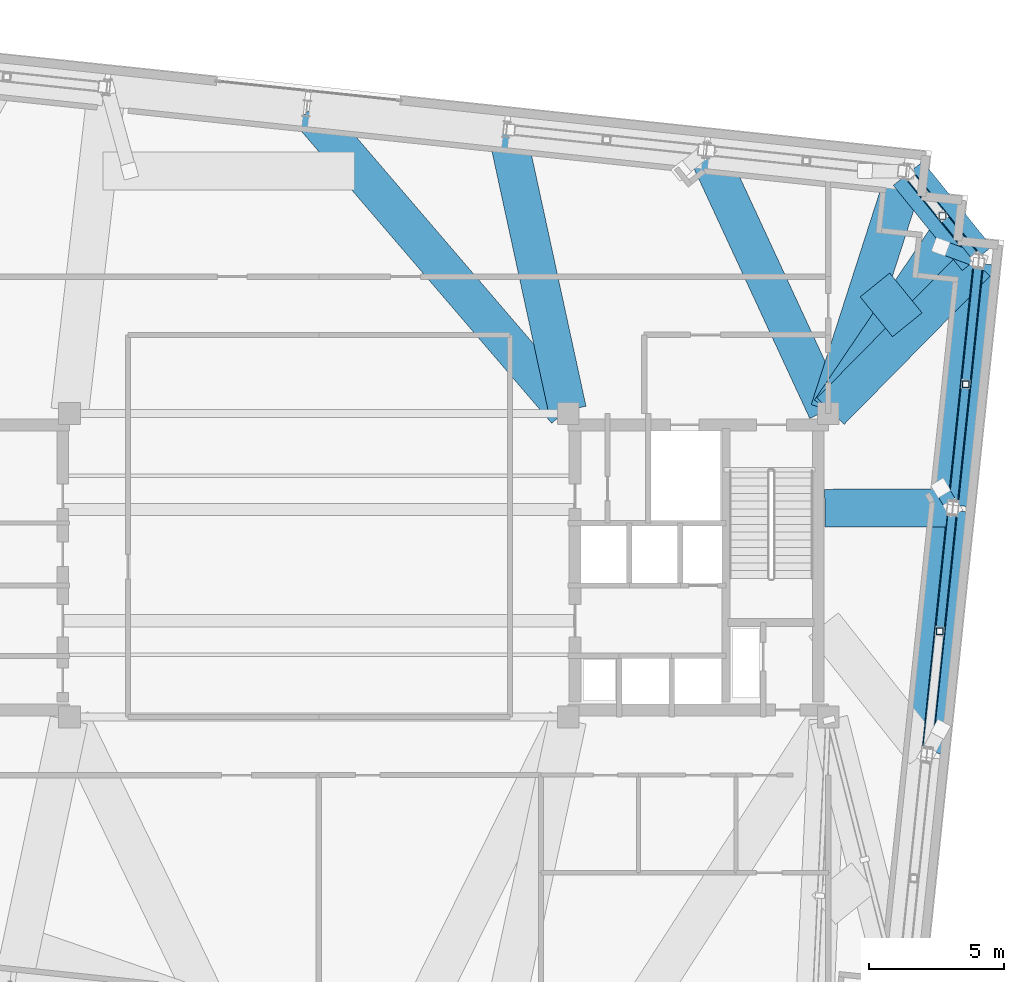
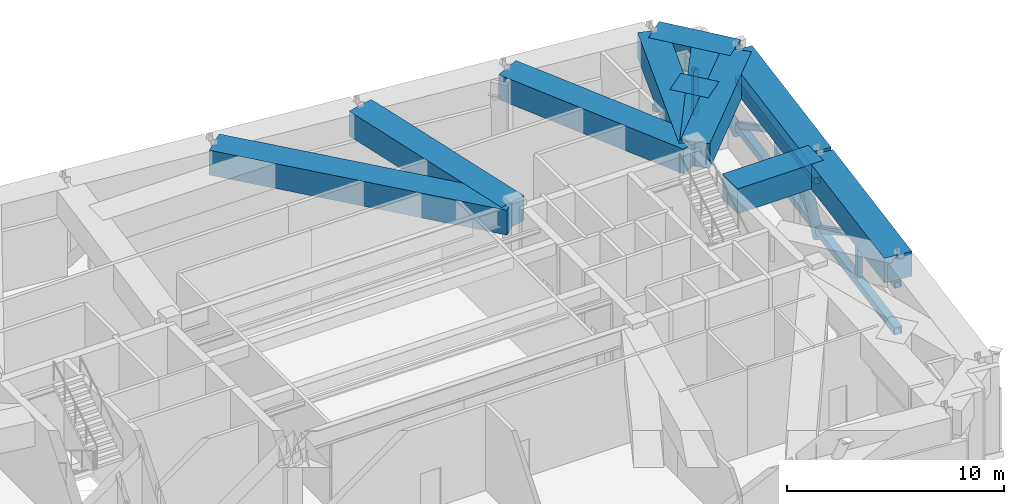
# One storey, part 10 of 21: 15 members, 11 beams.
"""IFC4 building model written with IfcOpenShell, lengths in metres."""

from ifc_helpers import new_model, si_unit, direction, frame, origin, origin_2d, place, context, subcontext, project, spatial, rectangle, hollow_rectangle, hollow_circle, extrude, material, material_profile, profile_set, type_object, element, save


model = new_model("IFC4")

# Units and contexts
model_context = context("Model", 3, precision=1e-05, world=origin(), true_north=direction((0.0, 1.0)))
body_context = subcontext(model_context, "Body", "Model", "MODEL_VIEW")
ifc_project = project(units=[si_unit("LENGTHUNIT", "METRE"), si_unit("AREAUNIT", "SQUARE_METRE"), si_unit("VOLUMEUNIT", "CUBIC_METRE"), si_unit("PLANEANGLEUNIT", "RADIAN"), si_unit("MASSUNIT", "GRAM", prefix="KILO")], contexts=[model_context])

# Site, building, storey
site_placement = place(None, origin())
site = spatial("IfcSite", under=ifc_project, at=site_placement, CompositionType="ELEMENT")
building_placement = place(site_placement, origin())
building = spatial("IfcBuilding", under=site, at=building_placement, Name="Qobustan Lattice House", CompositionType="ELEMENT")
storey_placement = place(building_placement, frame((0.0, 0.0, 223.199951171875)))
storey = spatial("IfcBuildingStorey", under=building, at=storey_placement, Name="L63", CompositionType="ELEMENT", Elevation=223.199951171875)

# Beams
ifc_material_1 = material(Name="Concrete C60/75", Category="concrete")
ifc_material_profile_1 = material_profile(ifc_material_1, rectangle(XDim=1.39990234375, YDim=1.39990234375, at=origin_2d()), Name="RC1400x1400")
ifc_profile_set_1 = profile_set([ifc_material_profile_1], Name="Concrete C60/75")
beam_type = type_object("IfcBeamType", Name="BM-TRG-RC1400", PredefinedType="USERDEFINED", material=ifc_profile_set_1)
beam_1_placement = place(storey_placement, frame((22.443115234375, -6.898193359375, 4.1201171875), z_axis=(0.10452745884, 0.994522000937, 0.0), x_axis=(-0.994522000937, 0.10452745884, 0.0)))
element("IfcBeam", 1, at=beam_1_placement, inside=storey, type_object=beam_type, Name="L63 TT4 lower perimeter transfer girder E2-E3", ObjectType="GIRDER", PredefinedType="USERDEFINED", context=body_context, shape_type="SweptSolid", body=[
    extrude(rectangle(XDim=1.39990234375, YDim=1.39990234375, at=origin_2d()), origin(), (0.0, 0.0, 1.0), 8.966552734375),
])
beam_2_placement = place(storey_placement, frame((23.4013671875, 2.218505859375, 4.1201171875), z_axis=(0.104503358256, 0.994524533691, 0.0), x_axis=(-0.994524533691, 0.104503358256, 0.0)))
element("IfcBeam", 2, at=beam_2_placement, inside=storey, type_object=beam_type, Name="L63 TT4 lower perimeter transfer girder E3-E4", ObjectType="GIRDER", PredefinedType="USERDEFINED", context=body_context, shape_type="SweptSolid", body=[
    extrude(rectangle(XDim=1.39990234375, YDim=1.39990234375, at=origin_2d()), origin(), (0.0, 0.0, 1.0), 8.96630859375),
])
beam_3_placement = place(storey_placement, frame((24.285888671875, 11.31298828125, 4.1201171875), z_axis=(-0.629279877871, 0.777178766634, 0.0), x_axis=(-0.777178766634, -0.629279877871, 0.0)))
element("IfcBeam", 3, at=beam_3_placement, inside=storey, type_object=beam_type, Name="L63 TT4 lower perimeter transfer girder E4-N1", ObjectType="GIRDER", PredefinedType="USERDEFINED", context=body_context, shape_type="SweptSolid", body=[
    extrude(rectangle(XDim=1.39990234375, YDim=1.39990234375, at=origin_2d()), origin(), (0.0, 0.0, 1.0), 4.042724609375),
])
beam_4_placement = place(storey_placement, frame((18.669921875, 2.1005859375, 4.1201171875), z_axis=(0.999992497283, 0.00387367749, 0.0), x_axis=(-0.00387367749, 0.999992497283, 0.0)))
element("IfcBeam", 4, at=beam_4_placement, inside=storey, type_object=beam_type, Name="L63 TT4 radial transfer girder E3", ObjectType="GIRDER", PredefinedType="USERDEFINED", context=body_context, shape_type="SweptSolid", body=[
    extrude(rectangle(XDim=1.39990234375, YDim=1.39990234375, at=origin_2d()), origin(), (0.0, 0.0, 1.0), 4.600830078125),
])
beam_5_placement = place(storey_placement, frame((18.88427734375, 5.685546875, 4.1201171875), z_axis=(0.701609724192, 0.712561432383, 0.0), x_axis=(-0.712561432383, 0.701609724192, 0.0)))
element("IfcBeam", 5, at=beam_5_placement, inside=storey, type_object=beam_type, Name="L63 TT4 radial transfer girder E4", ObjectType="GIRDER", PredefinedType="USERDEFINED", context=body_context, shape_type="SweptSolid", body=[
    extrude(rectangle(XDim=1.39990234375, YDim=1.39990234375, at=origin_2d()), origin(), (0.0, 0.0, 1.0), 7.668701171875),
])
beam_6_placement = place(storey_placement, frame((18.8369140625, 5.714111328125, 4.1201171875), z_axis=(0.306745362954, 0.95179161706, 0.0), x_axis=(-0.95179161706, 0.306745362954, 0.0)))
element("IfcBeam", 6, at=beam_6_placement, inside=storey, type_object=beam_type, Name="L63 TT4 radial transfer girder N1", ObjectType="GIRDER", PredefinedType="USERDEFINED", context=body_context, shape_type="SweptSolid", body=[
    extrude(rectangle(XDim=1.39990234375, YDim=1.39990234375, at=origin_2d()), origin(), (0.0, 0.0, 1.0), 9.14501953125),
])
beam_7_placement = place(storey_placement, frame((18.74951171875, 5.708984375, 4.1201171875), z_axis=(-0.420347115405, 0.907363379562, 0.0), x_axis=(-0.907363379562, -0.420347115405, 0.0)))
element("IfcBeam", 7, at=beam_7_placement, inside=storey, type_object=beam_type, Name="L63 TT4 radial transfer girder N2", ObjectType="GIRDER", PredefinedType="USERDEFINED", context=body_context, shape_type="SweptSolid", body=[
    extrude(rectangle(XDim=1.39990234375, YDim=1.39990234375, at=origin_2d()), origin(), (0.0, 0.0, 1.0), 10.45849609375),
])
beam_8_placement = place(storey_placement, frame((9.174560546875, 5.71728515625, 4.1201171875), z_axis=(-0.211903815595, 0.977290526372, 0.0), x_axis=(-0.977290526372, -0.211903815595, 0.0)))
element("IfcBeam", 8, at=beam_8_placement, inside=storey, type_object=beam_type, Name="L63 TT4 radial transfer girder N3", ObjectType="GIRDER", PredefinedType="USERDEFINED", context=body_context, shape_type="SweptSolid", body=[
    extrude(rectangle(XDim=1.39990234375, YDim=1.39990234375, at=origin_2d()), origin(), (0.0, 0.0, 1.0), 10.486572265625),
])
beam_9_placement = place(storey_placement, frame((9.121826171875, 5.691162109375, 4.1201171875), z_axis=(-0.650762428812, 0.759281411103, 0.0), x_axis=(-0.759281411103, -0.650762428812, 0.0)))
element("IfcBeam", 9, at=beam_9_placement, inside=storey, type_object=beam_type, Name="L63 TT4 radial transfer girder N4", ObjectType="GIRDER", PredefinedType="USERDEFINED", context=body_context, shape_type="SweptSolid", body=[
    extrude(rectangle(XDim=1.39990234375, YDim=1.39990234375, at=origin_2d()), origin(), (0.0, 0.0, 1.0), 14.58740234375),
])
beam_10_placement = place(storey_placement, frame((20.52197265625, 10.341796875, 4.1201171875), z_axis=(0.629276125455, -0.777181804942, 0.0), x_axis=(0.777181804942, 0.629276125455, 0.0)))
element("IfcBeam", 10, at=beam_10_placement, inside=storey, type_object=beam_type, Name="L63 TT4 quadrant transfer tie girder 1", ObjectType="GIRDER", PredefinedType="USERDEFINED", context=body_context, shape_type="SweptSolid", body=[
    extrude(rectangle(XDim=1.39990234375, YDim=1.39990234375, at=origin_2d()), origin(), (0.0, 0.0, 1.0), 1.893310546875),
])
beam_11_placement = place(storey_placement, frame((18.8671875, 5.699462890625, 4.1201171875), z_axis=(0.559333384558, 0.828942799546, 0.0), x_axis=(-0.828942799546, 0.559333384558, 0.0)))
element("IfcBeam", 11, at=beam_11_placement, inside=storey, type_object=beam_type, Name="L63 TT4 primary column transfer girder E4", ObjectType="GIRDER", PredefinedType="USERDEFINED", context=body_context, shape_type="SweptSolid", body=[
    extrude(rectangle(XDim=1.39990234375, YDim=1.39990234375, at=origin_2d()), origin(), (0.0, 0.0, 1.0), 7.877197265625),
])

# Members
ifc_material_2 = material(Name="Steel S355", Category="steel")
ifc_material_profile_2 = material_profile(ifc_material_2, hollow_rectangle(XDim=0.300048828125, YDim=0.300048828125, WallThickness=0.01611328125, at=origin_2d()), Name="SHS300x300x16")
ifc_profile_set_2 = profile_set([ifc_material_profile_2], Name="Steel S355")
member_type_1 = type_object("IfcMemberType", Name="MEM-BRC-SHS300", PredefinedType="BRACE", material=ifc_profile_set_2)
member_1_placement = place(storey_placement, frame((22.91162109375, -2.439453125, 3.14013671875), z_axis=(0.090532359251, 0.861141915102, -0.500238437131), x_axis=(-0.99451917012, 0.104554389018, 0.0)))
element("IfcMember", 12, at=member_1_placement, inside=storey, type_object=member_type_1, Name="L63 TT4 belt truss web diagonal E2-E3 B", PredefinedType="BRACE", context=body_context, shape_type="SweptSolid", body=[
    extrude(hollow_rectangle(XDim=0.300048828125, YDim=0.300048828125, WallThickness=0.01611328125, at=origin_2d()), origin(), (0.0, 0.0, 1.0), 5.177734375),
])
member_2_placement = place(storey_placement, frame((23.4013671875, 2.218505859375, 0.550048828125), z_axis=(0.09048926745, 0.861133403942, 0.50026088503), x_axis=(-0.994524236317, 0.104506188232, 0.0)))
element("IfcMember", 13, at=member_2_placement, inside=storey, type_object=member_type_1, Name="L63 TT4 belt truss web diagonal E3-E4 A", PredefinedType="BRACE", context=body_context, shape_type="SweptSolid", body=[
    extrude(hollow_rectangle(XDim=0.300048828125, YDim=0.300048828125, WallThickness=0.01611328125, at=origin_2d()), origin(), (0.0, 0.0, 1.0), 5.177490234375),
])
member_3_placement = place(storey_placement, frame((23.869873046875, 6.677001953125, 3.14013671875), z_axis=(0.090485593146, 0.861145590216, -0.500240572009), x_axis=(-0.994524831041, 0.104500528433, 0.0)))
element("IfcMember", 14, at=member_3_placement, inside=storey, type_object=member_type_1, Name="L63 TT4 belt truss web diagonal E3-E4 B", PredefinedType="BRACE", context=body_context, shape_type="SweptSolid", body=[
    extrude(hollow_rectangle(XDim=0.300048828125, YDim=0.300048828125, WallThickness=0.01611328125, at=origin_2d()), origin(), (0.0, 0.0, 1.0), 5.177734375),
])
member_4_placement = place(storey_placement, frame((24.285888671875, 11.31298828125, 0.550048828125), z_axis=(-0.3871585777, 0.478114834726, 0.788361871559), x_axis=(-0.777154850312, -0.62930941407, 0.0)))
element("IfcMember", 15, at=member_4_placement, inside=storey, type_object=member_type_1, Name="L63 TT4 belt truss web diagonal E4-N1 A", PredefinedType="BRACE", context=body_context, shape_type="SweptSolid", body=[
    extrude(hollow_rectangle(XDim=0.300048828125, YDim=0.300048828125, WallThickness=0.01611328125, at=origin_2d()), origin(), (0.0, 0.0, 1.0), 3.285400390625),
])
ifc_material_3 = material(Name="Steel S355", Category="steel")
ifc_material_profile_3 = material_profile(ifc_material_3, hollow_rectangle(XDim=0.35009765625, YDim=0.35009765625, WallThickness=0.01611328125, at=origin_2d()), Name="SHS350x350x16")
ifc_profile_set_3 = profile_set([ifc_material_profile_3], Name="Steel S355")
member_type_2 = type_object("IfcMemberType", Name="MEM-CHD-SHS350", PredefinedType="CHORD", material=ifc_profile_set_3)
member_5_placement = place(storey_placement, frame((22.443115234375, -6.898193359375, 3.14013671875), z_axis=(0.10452745884, 0.994522000937, 0.0), x_axis=(-0.994522000937, 0.10452745884, 0.0)))
element("IfcMember", 16, at=member_5_placement, inside=storey, type_object=member_type_2, Name="L63 TT4 belt truss top chord E2-E3", PredefinedType="CHORD", context=body_context, shape_type="SweptSolid", body=[
    extrude(hollow_rectangle(XDim=0.35009765625, YDim=0.35009765625, WallThickness=0.01611328125, at=origin_2d()), origin(), (0.0, 0.0, 1.0), 8.966552734375),
])
member_6_placement = place(storey_placement, frame((23.4013671875, 2.218505859375, 3.14013671875), z_axis=(0.104503358256, 0.994524533691, 0.0), x_axis=(-0.994524533691, 0.104503358256, 0.0)))
element("IfcMember", 17, at=member_6_placement, inside=storey, type_object=member_type_2, Name="L63 TT4 belt truss top chord E3-E4", PredefinedType="CHORD", context=body_context, shape_type="SweptSolid", body=[
    extrude(hollow_rectangle(XDim=0.35009765625, YDim=0.35009765625, WallThickness=0.01611328125, at=origin_2d()), origin(), (0.0, 0.0, 1.0), 8.96630859375),
])
member_7_placement = place(storey_placement, frame((24.285888671875, 11.31298828125, 3.14013671875), z_axis=(-0.629279877871, 0.777178766634, 0.0), x_axis=(-0.777178766634, -0.629279877871, 0.0)))
element("IfcMember", 18, at=member_7_placement, inside=storey, type_object=member_type_2, Name="L63 TT4 belt truss top chord E4-N1", PredefinedType="CHORD", context=body_context, shape_type="SweptSolid", body=[
    extrude(hollow_rectangle(XDim=0.35009765625, YDim=0.35009765625, WallThickness=0.01611328125, at=origin_2d()), origin(), (0.0, 0.0, 1.0), 4.042724609375),
])
ifc_material_4 = material(Name="Steel S355", Category="steel")
ifc_material_profile_4 = material_profile(ifc_material_4, hollow_rectangle(XDim=0.39990234375, YDim=0.39990234375, WallThickness=0.02001953125, at=origin_2d()), Name="SHS400x400x20")
ifc_profile_set_4 = profile_set([ifc_material_profile_4], Name="Steel S355")
member_type_3 = type_object("IfcMemberType", Name="MEM-CHD-SHS400", PredefinedType="CHORD", material=ifc_profile_set_4)
member_8_placement = place(storey_placement, frame((22.443115234375, -6.898193359375, 0.550048828125), z_axis=(0.10452745884, 0.994522000937, 0.0), x_axis=(-0.994522000937, 0.10452745884, 0.0)))
element("IfcMember", 19, at=member_8_placement, inside=storey, type_object=member_type_3, Name="L63 TT4 belt truss bottom chord E2-E3", PredefinedType="CHORD", context=body_context, shape_type="SweptSolid", body=[
    extrude(hollow_rectangle(XDim=0.39990234375, YDim=0.39990234375, WallThickness=0.02001953125, at=origin_2d()), origin(), (0.0, 0.0, 1.0), 8.966552734375),
])
member_9_placement = place(storey_placement, frame((23.4013671875, 2.218505859375, 0.550048828125), z_axis=(0.104503358256, 0.994524533691, 0.0), x_axis=(-0.994524533691, 0.104503358256, 0.0)))
element("IfcMember", 20, at=member_9_placement, inside=storey, type_object=member_type_3, Name="L63 TT4 belt truss bottom chord E3-E4", PredefinedType="CHORD", context=body_context, shape_type="SweptSolid", body=[
    extrude(hollow_rectangle(XDim=0.39990234375, YDim=0.39990234375, WallThickness=0.02001953125, at=origin_2d()), origin(), (0.0, 0.0, 1.0), 8.96630859375),
])
member_10_placement = place(storey_placement, frame((24.285888671875, 11.31298828125, 0.550048828125), z_axis=(-0.629279877871, 0.777178766634, 0.0), x_axis=(-0.777178766634, -0.629279877871, 0.0)))
element("IfcMember", 21, at=member_10_placement, inside=storey, type_object=member_type_3, Name="L63 TT4 belt truss bottom chord E4-N1", PredefinedType="CHORD", context=body_context, shape_type="SweptSolid", body=[
    extrude(hollow_rectangle(XDim=0.39990234375, YDim=0.39990234375, WallThickness=0.02001953125, at=origin_2d()), origin(), (0.0, 0.0, 1.0), 4.042724609375),
])
ifc_material_5 = material(Name="Steel S355", Category="steel")
ifc_material_profile_5 = material_profile(ifc_material_5, hollow_rectangle(XDim=0.25, YDim=0.25, WallThickness=0.012451171875, at=origin_2d()), Name="SHS250x250x12.5")
ifc_profile_set_5 = profile_set([ifc_material_profile_5], Name="Steel S355")
member_type_4 = type_object("IfcMemberType", Name="MEM-PST-SHS250", PredefinedType="POST", material=ifc_profile_set_5)
for number, where, z_axis, x_axis, name in (
    (22, (22.91162109375, -2.439453125, 0.550048828125), (0.0, 0.0, 1.0), (1.0, 0.0, 0.0), "L63 TT4 belt truss vertical post E2-E3"),
    (23, (23.869873046875, 6.677001953125, 0.550048828125), (0.0, 0.0, 1.0), (1.0, 0.0, 0.0), "L63 TT4 belt truss vertical post E3-E4"),
    (24, (23.013916015625, 12.8837890625, 0.550048828125), (0.0, 0.0, 1.0), (1.0, 0.0, 0.0), "L63 TT4 belt truss vertical post E4-N1"),
):
    element("IfcMember", number, at=place(storey_placement, frame(where, z_axis=z_axis, x_axis=x_axis)), inside=storey, type_object=member_type_4, Name=name, PredefinedType="POST", context=body_context, shape_type="SweptSolid", body=[
        extrude(hollow_rectangle(XDim=0.25, YDim=0.25, WallThickness=0.012451171875, at=origin_2d()), origin(), (0.0, 0.0, 1.0), 2.590087890625),
    ])
ifc_material_6 = material(Name="Steel S355", Category="steel")
ifc_material_profile_6 = material_profile(ifc_material_6, hollow_circle(Radius=0.25390625, WallThickness=0.02001953125, at=origin_2d()), Name="CHS508x20")
ifc_profile_set_6 = profile_set([ifc_material_profile_6], Name="Steel S355")
member_type_5 = type_object("IfcMemberType", Name="MEM-STR-CHS508", PredefinedType="STRUT", material=ifc_profile_set_6)
member_11_placement = place(storey_placement, frame((23.390869140625, 2.118896484375, 0.01513671875), z_axis=(-0.105159677687, 0.174392710228, 0.979044751177), x_axis=(-0.856355534133, -0.516386676008, 0.0)))
element("IfcMember", 25, at=member_11_placement, inside=storey, type_object=member_type_5, Name="L63 TT4 column transfer strut E3", PredefinedType="STRUT", context=body_context, shape_type="SweptSolid", body=[
    extrude(hollow_circle(Radius=0.25390625, WallThickness=0.02001953125, at=origin_2d()), origin(), (0.0, 0.0, 1.0), 4.19287109375),
])
member_12_placement = place(storey_placement, frame((24.348876953125, 11.2353515625, 0.01513671875), z_axis=(-0.320323164325, 0.117843146666, 0.939950032279), x_axis=(-0.345265090613, -0.938505203611, 0.0)))
element("IfcMember", 26, at=member_12_placement, inside=storey, type_object=member_type_5, Name="L63 TT4 column transfer strut E4", PredefinedType="STRUT", context=body_context, shape_type="SweptSolid", body=[
    extrude(hollow_circle(Radius=0.25390625, WallThickness=0.02001953125, at=origin_2d()), origin(), (0.0, 0.0, 1.0), 4.3671875),
])

save(model, "model.ifc")
